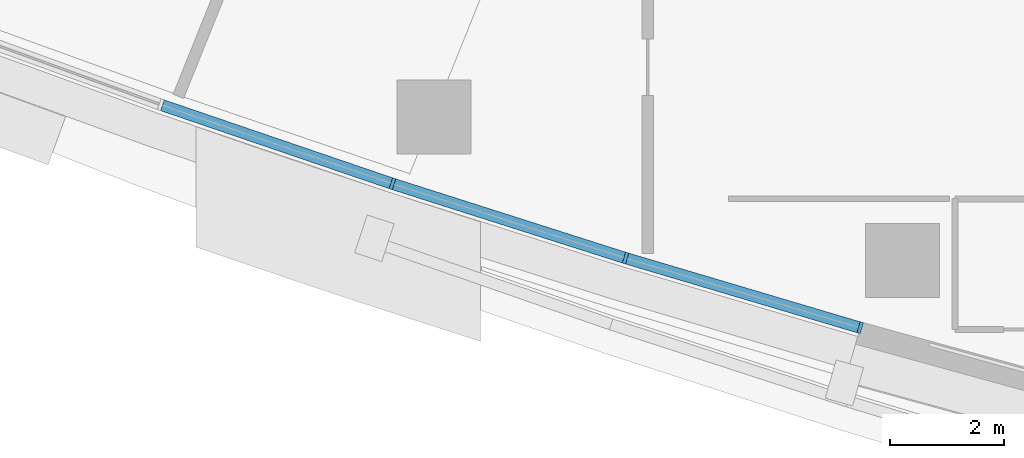
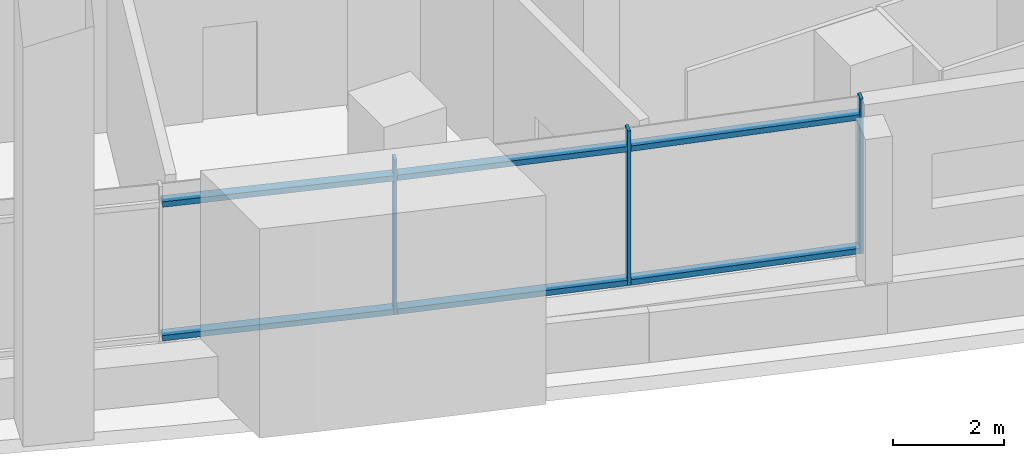
# One storey, part 3 of 19: 9 members, 2 elements without a shape of their own.
"""IFC4 building model written with IfcOpenShell, lengths in metres."""

from ifc_helpers import new_model, si_unit, direction, frame, origin, origin_2d, place, context, subcontext, project, spatial, rectangle, extrude, material, layer, layer_set, material_profile, profile_set, type_object, element, aggregate, save


model = new_model("IFC4")

# Units and contexts
model_context = context("Model", 3, precision=1e-05, world=origin(), true_north=direction((0.0, 1.0)))
body_context = subcontext(model_context, "Body", "Model", "MODEL_VIEW")
ifc_project = project(units=[si_unit("LENGTHUNIT", "METRE"), si_unit("AREAUNIT", "SQUARE_METRE"), si_unit("VOLUMEUNIT", "CUBIC_METRE"), si_unit("PLANEANGLEUNIT", "RADIAN"), si_unit("MASSUNIT", "GRAM", prefix="KILO")], contexts=[model_context])

# Site, building, storey
site_placement = place(None, origin())
site = spatial("IfcSite", under=ifc_project, at=site_placement, CompositionType="ELEMENT")
building_placement = place(site_placement, origin())
building = spatial("IfcBuilding", under=site, at=building_placement, Name="Ostrand Prow Hotel Tower", CompositionType="ELEMENT")
storey_placement = place(building_placement, frame((0.0, 0.0, 170.89990234375)))
storey = spatial("IfcBuildingStorey", under=building, at=storey_placement, Name="L42", CompositionType="ELEMENT", Elevation=170.89990234375)

# Curtain wall, member
ifc_material_1 = material(Name="Insulated glass in bronze anodised frame", Category="glass")
ifc_layer = layer(ifc_material_1, 0.199951171875)
ifc_layer_set = layer_set([ifc_layer], Name="Insulated glass in bronze anodised frame")
curtain_wall_type = type_object("IfcCurtainWallType", Name="Sky lobby full-height curtain wall", PredefinedType="NOTDEFINED", material=ifc_layer_set)
curtain_wall_1_placement = place(storey_placement, origin())
curtain_wall_1 = element("IfcCurtainWall", 1, at=curtain_wall_1_placement, inside=storey, type_object=curtain_wall_type, Name="CW3 run CWS4", PredefinedType="NOTDEFINED")
ifc_material_2 = material(Name="Bronze anodised aluminium", Category="aluminium")
ifc_material_profile_1 = material_profile(ifc_material_2, rectangle(XDim=0.199951171875, YDim=0.06005859375, at=origin_2d()), Name="Mullion 60x200 bronze anodised aluminium")
ifc_profile_set_1 = profile_set([ifc_material_profile_1], Name="Bronze anodised aluminium")
member_type_1 = type_object("IfcMemberType", Name="Mullion 60x200 bronze anodised aluminium", PredefinedType="MULLION", material=ifc_profile_set_1)
member_1_placement = place(storey_placement, frame((43.95361328125, -20.086669921875, 0.900146484375), z_axis=(0.0, 0.0, 1.0), x_axis=(0.322908332404, 0.946430245113, 0.0)))
member_1 = element("IfcMember", 2, at=member_1_placement, type_object=member_type_1, Name="CW3 mullion 3", PredefinedType="MULLION", context=body_context, shape_type="SweptSolid", body=[
    extrude(rectangle(XDim=0.199951171875, YDim=0.06005859375, at=origin_2d()), origin(), (0.0, 0.0, 1.0), 3.39990234375),
])

# Curtain wall, members
curtain_wall_2_placement = place(storey_placement, origin())
curtain_wall_2 = element("IfcCurtainWall", 3, at=curtain_wall_2_placement, inside=storey, type_object=curtain_wall_type, Name="CW3 run CWS5", PredefinedType="NOTDEFINED")
member_2_placement = place(storey_placement, frame((48.055419921875, -21.39453125, 0.900146484375), z_axis=(0.0, 0.0, 1.0), x_axis=(0.284544113619, 0.958662947758, 0.0)))
member_2 = element("IfcMember", 4, at=member_2_placement, type_object=member_type_1, Name="CW3 mullion 2", PredefinedType="MULLION", context=body_context, shape_type="SweptSolid", body=[
    extrude(rectangle(XDim=0.199951171875, YDim=0.06005859375, at=origin_2d()), origin(), (0.0, 0.0, 1.0), 3.39990234375),
])
member_3_placement = place(storey_placement, frame((52.182373046875, -22.619384765625, 0.900146484375), z_axis=(0.0, 0.0, 1.0), x_axis=(0.284544113619, 0.958662947758, 0.0)))
member_3 = element("IfcMember", 5, at=member_3_placement, type_object=member_type_1, Name="CW3 mullion 3", PredefinedType="MULLION", context=body_context, shape_type="SweptSolid", body=[
    extrude(rectangle(XDim=0.199951171875, YDim=0.06005859375, at=origin_2d()), origin(), (0.0, 0.0, 1.0), 3.39990234375),
])

# Member
ifc_material_3 = material(Name="Bronze anodised aluminium", Category="aluminium")
ifc_material_profile_2 = material_profile(ifc_material_3, rectangle(XDim=0.199951171875, YDim=0.1201171875, at=origin_2d()), Name="Transom 120x200 bronze anodised aluminium")
ifc_profile_set_2 = profile_set([ifc_material_profile_2], Name="Bronze anodised aluminium")
member_type_2 = type_object("IfcMemberType", Name="Transom 120x200 bronze anodised aluminium", PredefinedType="USERDEFINED", material=ifc_profile_set_2)
member_4_placement = place(storey_placement, frame((39.90771484375, -18.706298828125, 0.960205078125), z_axis=(0.946422327772, -0.322931536852, 0.0), x_axis=(0.322931536852, 0.946422327772, 0.0)))
member_4 = element("IfcMember", 6, at=member_4_placement, type_object=member_type_2, Name="CW3 transom 2.1", ObjectType="TRANSOM", PredefinedType="USERDEFINED", context=body_context, shape_type="SweptSolid", body=[
    extrude(rectangle(XDim=0.199951171875, YDim=0.1201171875, at=origin_2d()), origin(), (0.0, 0.0, 1.0), 4.2451171875),
])

member_5_placement = place(storey_placement, frame((39.90771484375, -18.706298828125, 3.900146484375), z_axis=(0.946422327772, -0.322931536852, 0.0), x_axis=(0.322931536852, 0.946422327772, 0.0)))
member_5 = element("IfcMember", 7, at=member_5_placement, type_object=member_type_2, Name="CW3 transom 2.2", ObjectType="TRANSOM", PredefinedType="USERDEFINED", context=body_context, shape_type="SweptSolid", body=[
    extrude(rectangle(XDim=0.199951171875, YDim=0.1201171875, at=origin_2d()), origin(), (0.0, 0.0, 1.0), 4.2451171875),
])

aggregate(curtain_wall_1, [member_1, member_4, member_5])

member_6_placement = place(storey_placement, frame((43.982421875, -20.095947265625, 0.960205078125), z_axis=(0.952737512605, -0.303794720289, 0.0), x_axis=(0.303794720289, 0.952737512605, 0.0)))
member_6 = element("IfcMember", 8, at=member_6_placement, type_object=member_type_2, Name="CW3 transom 1.1", ObjectType="TRANSOM", PredefinedType="USERDEFINED", context=body_context, shape_type="SweptSolid", body=[
    extrude(rectangle(XDim=0.199951171875, YDim=0.1201171875, at=origin_2d()), origin(), (0.0, 0.0, 1.0), 4.244873046875),
])

member_7_placement = place(storey_placement, frame((43.982421875, -20.095947265625, 3.900146484375), z_axis=(0.952737512605, -0.303794720289, 0.0), x_axis=(0.303794720289, 0.952737512605, 0.0)))
member_7 = element("IfcMember", 9, at=member_7_placement, type_object=member_type_2, Name="CW3 transom 1.2", ObjectType="TRANSOM", PredefinedType="USERDEFINED", context=body_context, shape_type="SweptSolid", body=[
    extrude(rectangle(XDim=0.199951171875, YDim=0.1201171875, at=origin_2d()), origin(), (0.0, 0.0, 1.0), 4.244873046875),
])

member_8_placement = place(storey_placement, frame((48.083984375, -21.403076171875, 0.960205078125), z_axis=(0.958661084062, -0.284550392558, 0.0), x_axis=(0.284550392558, 0.958661084062, 0.0)))
member_8 = element("IfcMember", 10, at=member_8_placement, type_object=member_type_2, Name="CW3 transom 2.1", ObjectType="TRANSOM", PredefinedType="USERDEFINED", context=body_context, shape_type="SweptSolid", body=[
    extrude(rectangle(XDim=0.199951171875, YDim=0.1201171875, at=origin_2d()), origin(), (0.0, 0.0, 1.0), 4.245361328125),
])

member_9_placement = place(storey_placement, frame((48.083984375, -21.403076171875, 3.900146484375), z_axis=(0.958661084062, -0.284550392558, 0.0), x_axis=(0.284550392558, 0.958661084062, 0.0)))
member_9 = element("IfcMember", 11, at=member_9_placement, type_object=member_type_2, Name="CW3 transom 2.2", ObjectType="TRANSOM", PredefinedType="USERDEFINED", context=body_context, shape_type="SweptSolid", body=[
    extrude(rectangle(XDim=0.199951171875, YDim=0.1201171875, at=origin_2d()), origin(), (0.0, 0.0, 1.0), 4.245361328125),
])

aggregate(curtain_wall_2, [member_2, member_3, member_6, member_7, member_8, member_9])

save(model, "model.ifc")
